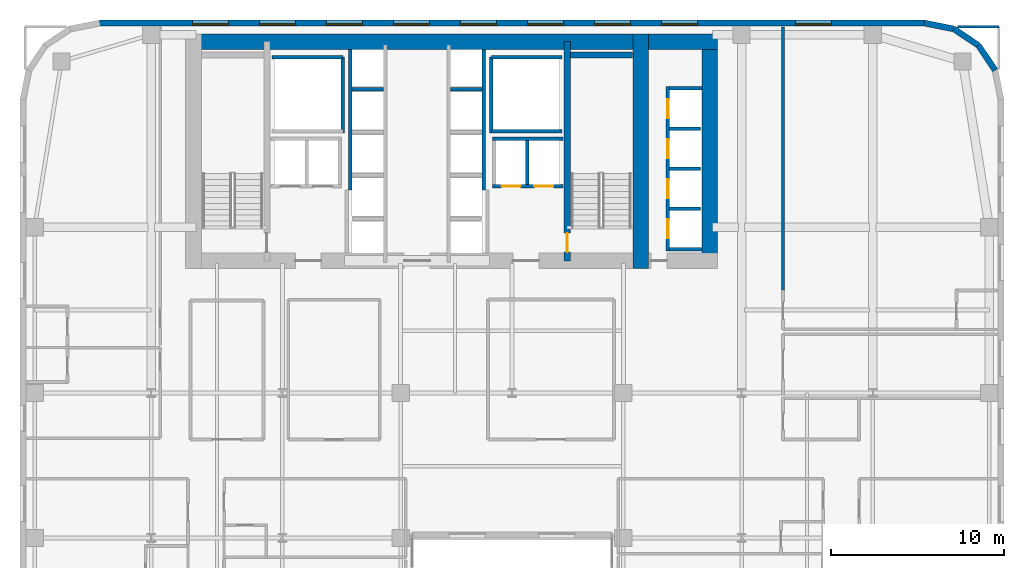
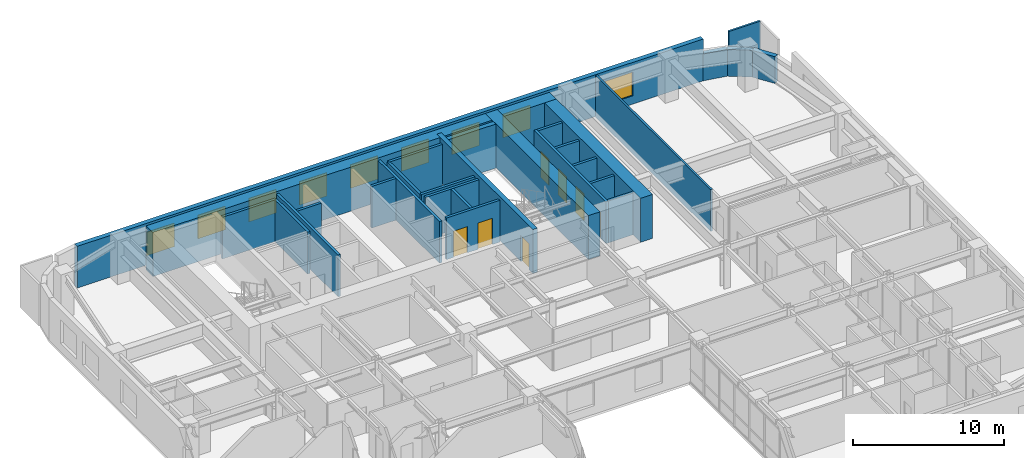
# One storey, part 15 of 17: 30 walls, 9 windows, 7 doors, 16 openings.
"""IFC4 building model written with IfcOpenShell, lengths in metres."""

from ifc_helpers import new_model, si_unit, direction, frame, frame_2d, origin, place, context, subcontext, project, spatial, rectangle, extrude, source, transform, mapped, material, layer, layer_set, type_object, type_shapes, element, fill, save


model = new_model("IFC4")

# Units and contexts
model_context = context("Model", 3, precision=1e-05, world=origin(), true_north=direction((0.0, 1.0)))
body_context = subcontext(model_context, "Body", "Model", "MODEL_VIEW")
ifc_project = project(units=[si_unit("LENGTHUNIT", "METRE"), si_unit("AREAUNIT", "SQUARE_METRE"), si_unit("VOLUMEUNIT", "CUBIC_METRE"), si_unit("PLANEANGLEUNIT", "RADIAN"), si_unit("MASSUNIT", "GRAM", prefix="KILO")], contexts=[model_context])

# Site, building, storey
site_placement = place(None, origin())
site = spatial("IfcSite", under=ifc_project, at=site_placement, CompositionType="ELEMENT")
building_placement = place(site_placement, origin())
building = spatial("IfcBuilding", under=site, at=building_placement, Name="Tolvann Quenvar Hotel", CompositionType="ELEMENT")
storey_placement = place(building_placement, frame((0.0, 0.0, 42.64990234375)))
storey = spatial("IfcBuildingStorey", under=building, at=storey_placement, Name="L09", CompositionType="ELEMENT", Elevation=42.64990234375)

# Walls
ifc_material_1 = material(Name="Concrete S80 (80 MPa)", Category="concrete")
ifc_layer_1 = layer(ifc_material_1, 0.89990234375)
ifc_layer_set_1 = layer_set([ifc_layer_1], Name="Concrete S80 (80 MPa)")
wall_type_1 = type_object("IfcWallType", Name="WALL_CORE_900", PredefinedType="SHEAR", material=ifc_layer_set_1)
wall_1_placement = place(storey_placement, frame((9.60009765625, 44.75, 0.0), z_axis=(0.0, 0.0, 1.0), x_axis=(1.0, 0.0, 0.0)))
element("IfcWall", 1, at=wall_1_placement, inside=storey, type_object=wall_type_1, Name="Rear Core N Shear Wall (L09)", PredefinedType="SHEAR", context=body_context, shape_type="SweptSolid", body=[
    extrude(rectangle(XDim=26.7998046875, YDim=0.89990234375, at=frame_2d((13.39990234375, 0.0))), origin(), (0.0, 0.0, 1.0), 3.550048828125),
])
wall_2_placement = place(storey_placement, frame((35.949951171875, 31.60009765625, 0.0), z_axis=(0.0, 0.0, 1.0), x_axis=(0.0, 1.0, 0.0)))
element("IfcWall", 2, at=wall_2_placement, inside=storey, type_object=wall_type_1, Name="Rear Core E Shear Wall (L09)", PredefinedType="SHEAR", context=body_context, shape_type="SweptSolid", body=[
    extrude(rectangle(XDim=13.599853515625, YDim=0.89990234375, at=frame_2d((6.7998046875, 0.0))), origin(), (0.0, 0.0, 1.0), 3.550048828125),
])
wall_3_placement = place(storey_placement, frame((36.39990234375, 44.75, 0.0), z_axis=(0.0, 0.0, 1.0), x_axis=(1.0, 0.0, 0.0)))
element("IfcWall", 3, at=wall_3_placement, inside=storey, type_object=wall_type_1, Name="Core East Annex Shear Wall ANN-N (L09)", PredefinedType="SHEAR", context=body_context, shape_type="SweptSolid", body=[
    extrude(rectangle(XDim=4.0, YDim=0.89990234375, at=frame_2d((2.0, 0.0))), origin(), (0.0, 0.0, 1.0), 3.550048828125),
])
wall_4_placement = place(storey_placement, frame((39.949951171875, 31.60009765625, 0.0), z_axis=(0.0, 0.0, 1.0), x_axis=(0.0, 1.0, 0.0)))
element("IfcWall", 4, at=wall_4_placement, inside=storey, type_object=wall_type_1, Name="Core East Annex Shear Wall ANN-E (L09)", PredefinedType="SHEAR", context=body_context, shape_type="SweptSolid", body=[
    extrude(rectangle(XDim=13.599853515625, YDim=0.89990234375, at=frame_2d((6.7998046875, 0.0))), origin(), (0.0, 0.0, 1.0), 3.550048828125),
])

# Wall, opening, door
ifc_material_2 = material(Name="Concrete S65 (65 MPa)", Category="concrete")
ifc_layer_2 = layer(ifc_material_2, 0.35009765625)
ifc_layer_set_2 = layer_set([ifc_layer_2], Name="Concrete S65 (65 MPa)")
wall_type_2 = type_object("IfcWallType", Name="WALL_CORE_INT_350", PredefinedType="SHEAR", material=ifc_layer_set_2)
wall_5_placement = place(storey_placement, frame((31.699951171875, 32.050048828125, 0.0), z_axis=(0.0, 0.0, 1.0), x_axis=(0.0, 1.0, 0.0)))
wall_5 = element("IfcWall", 5, at=wall_5_placement, inside=storey, type_object=wall_type_2, Name="Core Internal Web Shear Wall WEB-E (L09)", PredefinedType="SHEAR", context=body_context, shape_type="SweptSolid", body=[
    extrude(rectangle(XDim=12.699951171875, YDim=0.35009765625, at=frame_2d((6.35009765625, 0.0))), origin(), (0.0, 0.0, 1.0), 3.550048828125),
])
opening_1_placement = place(wall_5_placement, frame((1.60009765625, 0.0, 0.0), z_axis=(0.0, 0.0, 1.0), x_axis=(-1.0, 0.0, 0.0)))
opening_1 = element("IfcOpeningElement", 6, at=opening_1_placement, cuts=wall_5, Name="Opening FD-120", PredefinedType="OPENING", context=body_context, shape_type="SweptSolid", body=[
    extrude(rectangle(XDim=1.10009765625, YDim=2.1201171875, at=frame_2d((0.550048828125, 1.06005859375))), frame((0.0, 0.18505859375, 0.0), z_axis=(0.0, -1.0, 0.0), x_axis=(1.0, 0.0, 0.0)), (0.0, 0.0, 1.0), 0.3701171875),
])
ifc_material_3 = material(Name="Pressed galvanised steel fire-rated door set", Category="steel")
door_type_1 = type_object("IfcDoorType", Name="DOOR_FIRE_STAIR_1100", OperationType="NOTDEFINED", PredefinedType="DOOR", material=ifc_material_3)
shared_shape_1 = source(origin(), body_context, "Body", "SweptSolid", [
    extrude(rectangle(XDim=1.10009765625, YDim=2.1201171875, at=frame_2d((0.550048828125, 1.06005859375))), frame((0.0, 0.02490234375, 0.0), z_axis=(0.0, -1.0, 0.0), x_axis=(1.0, 0.0, 0.0)), (0.0, 0.0, 1.0), 0.050048828125),
])
type_shapes(door_type_1, [shared_shape_1])
door_1_placement = place(opening_1_placement, origin())
door_1 = element("IfcDoor", 7, at=door_1_placement, inside=storey, type_object=door_type_1, Name="Exit Stair ST-C2 Fire Door (L09)", OperationType="SINGLE_SWING_LEFT", OverallHeight=2.1201171875, OverallWidth=1.10009765625, PredefinedType="DOOR", context=body_context, shape_type="MappedRepresentation", body=[
    mapped(shared_shape_1, transform((0.0, 0.0, 0.0), x_axis=(1.0, 0.0, 0.0), y_axis=(0.0, 1.0, 0.0), z_axis=(0.0, 0.0, 1.0), scale=1.0)),
])
fill(opening_1, door_1)

# Walls
wall_6_placement = place(storey_placement, frame((31.8798828125, 43.97509765625, 0.0), z_axis=(0.0, 0.0, 1.0), x_axis=(1.0, 0.0, 0.0)))
element("IfcWall", 8, at=wall_6_placement, inside=storey, type_object=wall_type_2, Name="Core Stair North Closing Shear Wall STC2-N (L09)", PredefinedType="SHEAR", context=body_context, shape_type="SweptSolid", body=[
    extrude(rectangle(XDim=3.60009765625, YDim=0.35009765625, at=frame_2d((1.800048828125, 0.0))), origin(), (0.0, 0.0, 1.0), 3.550048828125),
])
ifc_material_4 = material(Name="Kiln-fired red and buff architectural clay brickwork and terracotta masonry", Category="masonry")
ifc_layer_3 = layer(ifc_material_4, 0.35009765625)
ifc_layer_set_3 = layer_set([ifc_layer_3], Name="Kiln-fired red and buff architectural clay brickwork and terracotta masonry")
wall_type_3 = type_object("IfcWallType", Name="WALL_EXT_BRICK_350", PredefinedType="SOLIDWALL", material=ifc_layer_set_3)
for number, where, z_axis, x_axis, name in (
    (9, (56.485107421875, 43.092041015625, 0.0), (0.0, 0.0, 1.0), (-0.55554893791, 0.831483840845, 0.0), "Exterior Chicago Brick Wall L09-E15"),
    (10, (55.526611328125, 44.526611328125, 0.0), (0.0, 0.0, 1.0), (-0.831483840845, 0.55554893791, 0.0), "Exterior Chicago Brick Wall L09-E16"),
):
    element("IfcWall", number, at=place(storey_placement, frame(where, z_axis=z_axis, x_axis=x_axis)), inside=storey, type_object=wall_type_3, Name=name, PredefinedType="SOLIDWALL", context=body_context, shape_type="SweptSolid", body=[
        extrude(rectangle(XDim=1.725341796875, YDim=0.35009765625, at=frame_2d((0.86279296875, 0.0))), origin(), (0.0, 0.0, 1.0), 2.16015625),
    ])
wall_7_placement = place(storey_placement, frame((54.092041015625, 45.485107421875, 0.0), z_axis=(0.0, 0.0, 1.0), x_axis=(-0.980800971659, 0.195011420161, 0.0)))
element("IfcWall", 11, at=wall_7_placement, inside=storey, type_object=wall_type_3, Name="Exterior Chicago Brick Wall L09-E17", PredefinedType="SOLIDWALL", context=body_context, shape_type="SweptSolid", body=[
    extrude(rectangle(XDim=1.74267578125, YDim=0.35009765625, at=frame_2d((0.871337890625, 0.0))), origin(), (0.0, 0.0, 1.0), 2.16015625),
])

# Wall, openings, windows
wall_8_placement = place(storey_placement, frame((52.3828125, 45.824951171875, 0.0), z_axis=(0.0, 0.0, 1.0), x_axis=(-1.0, 0.0, 0.0)))
wall_8 = element("IfcWall", 12, at=wall_8_placement, inside=storey, type_object=wall_type_3, Name="Exterior Chicago Brick Wall L09-E18", PredefinedType="SOLIDWALL", context=body_context, shape_type="SweptSolid", body=[
    extrude(rectangle(XDim=47.765625, YDim=0.35009765625, at=frame_2d((23.8828125, 0.0))), origin(), (0.0, 0.0, 1.0), 3.3701171875),
])
opening_2_placement = place(wall_8_placement, frame((5.37109375, 0.0, 0.679931640625)))
opening_2 = element("IfcOpeningElement", 13, at=opening_2_placement, cuts=wall_8, Name="Opening W-02", PredefinedType="OPENING", context=body_context, shape_type="SweptSolid", body=[
    extrude(rectangle(XDim=2.10009765625, YDim=1.89990234375, at=frame_2d((1.050048828125, 0.949951171875))), frame((0.0, 0.18505859375, 0.0), z_axis=(0.0, -1.0, 0.0), x_axis=(1.0, 0.0, 0.0)), (0.0, 0.0, 1.0), 0.3701171875),
])
opening_3_placement = place(wall_8_placement, frame((13.132080078125, 0.0, 0.679931640625)))
opening_3 = element("IfcOpeningElement", 14, at=opening_3_placement, cuts=wall_8, Name="Opening W-02", PredefinedType="OPENING", context=body_context, shape_type="SweptSolid", body=[
    extrude(rectangle(XDim=2.10009765625, YDim=1.89990234375, at=frame_2d((1.050048828125, 0.949951171875))), frame((0.0, 0.18505859375, 0.0), z_axis=(0.0, -1.0, 0.0), x_axis=(1.0, 0.0, 0.0)), (0.0, 0.0, 1.0), 0.3701171875),
])
opening_4_placement = place(wall_8_placement, frame((17.011962890625, 0.0, 0.679931640625)))
opening_4 = element("IfcOpeningElement", 15, at=opening_4_placement, cuts=wall_8, Name="Opening W-02", PredefinedType="OPENING", context=body_context, shape_type="SweptSolid", body=[
    extrude(rectangle(XDim=2.10009765625, YDim=1.89990234375, at=frame_2d((1.050048828125, 0.949951171875))), frame((0.0, 0.18505859375, 0.0), z_axis=(0.0, -1.0, 0.0), x_axis=(1.0, 0.0, 0.0)), (0.0, 0.0, 1.0), 0.3701171875),
])
opening_5_placement = place(wall_8_placement, frame((20.89306640625, 0.0, 0.679931640625)))
opening_5 = element("IfcOpeningElement", 16, at=opening_5_placement, cuts=wall_8, Name="Opening W-02", PredefinedType="OPENING", context=body_context, shape_type="SweptSolid", body=[
    extrude(rectangle(XDim=2.10009765625, YDim=1.89990234375, at=frame_2d((1.050048828125, 0.949951171875))), frame((0.0, 0.18505859375, 0.0), z_axis=(0.0, -1.0, 0.0), x_axis=(1.0, 0.0, 0.0)), (0.0, 0.0, 1.0), 0.3701171875),
])
opening_6_placement = place(wall_8_placement, frame((24.77294921875, 0.0, 0.679931640625)))
opening_6 = element("IfcOpeningElement", 17, at=opening_6_placement, cuts=wall_8, Name="Opening W-02", PredefinedType="OPENING", context=body_context, shape_type="SweptSolid", body=[
    extrude(rectangle(XDim=2.10009765625, YDim=1.89990234375, at=frame_2d((1.050048828125, 0.949951171875))), frame((0.0, 0.18505859375, 0.0), z_axis=(0.0, -1.0, 0.0), x_axis=(1.0, 0.0, 0.0)), (0.0, 0.0, 1.0), 0.3701171875),
])
opening_7_placement = place(wall_8_placement, frame((28.654052734375, 0.0, 0.679931640625)))
opening_7 = element("IfcOpeningElement", 18, at=opening_7_placement, cuts=wall_8, Name="Opening W-02", PredefinedType="OPENING", context=body_context, shape_type="SweptSolid", body=[
    extrude(rectangle(XDim=2.10009765625, YDim=1.89990234375, at=frame_2d((1.050048828125, 0.949951171875))), frame((0.0, 0.18505859375, 0.0), z_axis=(0.0, -1.0, 0.0), x_axis=(1.0, 0.0, 0.0)), (0.0, 0.0, 1.0), 0.3701171875),
])
opening_8_placement = place(wall_8_placement, frame((32.533935546875, 0.0, 0.679931640625)))
opening_8 = element("IfcOpeningElement", 19, at=opening_8_placement, cuts=wall_8, Name="Opening W-02", PredefinedType="OPENING", context=body_context, shape_type="SweptSolid", body=[
    extrude(rectangle(XDim=2.10009765625, YDim=1.89990234375, at=frame_2d((1.050048828125, 0.949951171875))), frame((0.0, 0.18505859375, 0.0), z_axis=(0.0, -1.0, 0.0), x_axis=(1.0, 0.0, 0.0)), (0.0, 0.0, 1.0), 0.3701171875),
])
opening_9_placement = place(wall_8_placement, frame((36.4140625, 0.0, 0.679931640625)))
opening_9 = element("IfcOpeningElement", 20, at=opening_9_placement, cuts=wall_8, Name="Opening W-02", PredefinedType="OPENING", context=body_context, shape_type="SweptSolid", body=[
    extrude(rectangle(XDim=2.10009765625, YDim=1.89990234375, at=frame_2d((1.050048828125, 0.949951171875))), frame((0.0, 0.18505859375, 0.0), z_axis=(0.0, -1.0, 0.0), x_axis=(1.0, 0.0, 0.0)), (0.0, 0.0, 1.0), 0.3701171875),
])
opening_10_placement = place(wall_8_placement, frame((40.294921875, 0.0, 0.679931640625)))
opening_10 = element("IfcOpeningElement", 21, at=opening_10_placement, cuts=wall_8, Name="Opening W-02", PredefinedType="OPENING", context=body_context, shape_type="SweptSolid", body=[
    extrude(rectangle(XDim=2.10009765625, YDim=1.89990234375, at=frame_2d((1.050048828125, 0.949951171875))), frame((0.0, 0.18505859375, 0.0), z_axis=(0.0, -1.0, 0.0), x_axis=(1.0, 0.0, 0.0)), (0.0, 0.0, 1.0), 0.3701171875),
])
ifc_material_5 = material(Name="Thermally broken bronze-anodised aluminium frame with double low-E glazing", Category="aluminium")
window_type = type_object("IfcWindowType", Name="WIN_CHI_2100x2050", PartitioningType="TRIPLE_PANEL_HORIZONTAL", PredefinedType="WINDOW", material=ifc_material_5)
shared_shape_2 = source(origin(), body_context, "Body", "SweptSolid", [
    extrude(rectangle(XDim=2.10009765625, YDim=1.89990234375, at=frame_2d((1.050048828125, 0.949951171875))), frame((0.0, 0.090087890625, 0.0), z_axis=(0.0, -1.0, 0.0), x_axis=(1.0, 0.0, 0.0)), (0.0, 0.0, 1.0), 0.06005859375),
])
type_shapes(window_type, [shared_shape_2])
window_1_placement = place(opening_2_placement, origin())
window_1 = element("IfcWindow", 22, at=window_1_placement, inside=storey, type_object=window_type, Name="Chicago Window W-02 (EW-L09-E18-W01)", OverallHeight=1.89990234375, OverallWidth=2.10009765625, PartitioningType="TRIPLE_PANEL_HORIZONTAL", PredefinedType="WINDOW", context=body_context, shape_type="MappedRepresentation", body=[
    mapped(shared_shape_2, transform((0.0, 0.0, 0.0), x_axis=(1.0, 0.0, 0.0), y_axis=(0.0, 1.0, 0.0), z_axis=(0.0, 0.0, 1.0), scale=1.0)),
])
fill(opening_2, window_1)
window_2_placement = place(opening_3_placement, origin())
window_2 = element("IfcWindow", 23, at=window_2_placement, inside=storey, type_object=window_type, Name="Chicago Window W-02 (EW-L09-E18-W02)", OverallHeight=1.89990234375, OverallWidth=2.10009765625, PartitioningType="TRIPLE_PANEL_HORIZONTAL", PredefinedType="WINDOW", context=body_context, shape_type="MappedRepresentation", body=[
    mapped(shared_shape_2, transform((0.0, 0.0, 0.0), x_axis=(1.0, 0.0, 0.0), y_axis=(0.0, 1.0, 0.0), z_axis=(0.0, 0.0, 1.0), scale=1.0)),
])
fill(opening_3, window_2)
window_3_placement = place(opening_4_placement, origin())
window_3 = element("IfcWindow", 24, at=window_3_placement, inside=storey, type_object=window_type, Name="Chicago Window W-02 (EW-L09-E18-W03)", OverallHeight=1.89990234375, OverallWidth=2.10009765625, PartitioningType="TRIPLE_PANEL_HORIZONTAL", PredefinedType="WINDOW", context=body_context, shape_type="MappedRepresentation", body=[
    mapped(shared_shape_2, transform((0.0, 0.0, 0.0), x_axis=(1.0, 0.0, 0.0), y_axis=(0.0, 1.0, 0.0), z_axis=(0.0, 0.0, 1.0), scale=1.0)),
])
fill(opening_4, window_3)
window_4_placement = place(opening_5_placement, origin())
window_4 = element("IfcWindow", 25, at=window_4_placement, inside=storey, type_object=window_type, Name="Chicago Window W-02 (EW-L09-E18-W04)", OverallHeight=1.89990234375, OverallWidth=2.10009765625, PartitioningType="TRIPLE_PANEL_HORIZONTAL", PredefinedType="WINDOW", context=body_context, shape_type="MappedRepresentation", body=[
    mapped(shared_shape_2, transform((0.0, 0.0, 0.0), x_axis=(1.0, 0.0, 0.0), y_axis=(0.0, 1.0, 0.0), z_axis=(0.0, 0.0, 1.0), scale=1.0)),
])
fill(opening_5, window_4)
window_5_placement = place(opening_6_placement, origin())
window_5 = element("IfcWindow", 26, at=window_5_placement, inside=storey, type_object=window_type, Name="Chicago Window W-02 (EW-L09-E18-W05)", OverallHeight=1.89990234375, OverallWidth=2.10009765625, PartitioningType="TRIPLE_PANEL_HORIZONTAL", PredefinedType="WINDOW", context=body_context, shape_type="MappedRepresentation", body=[
    mapped(shared_shape_2, transform((0.0, 0.0, 0.0), x_axis=(1.0, 0.0, 0.0), y_axis=(0.0, 1.0, 0.0), z_axis=(0.0, 0.0, 1.0), scale=1.0)),
])
fill(opening_6, window_5)
window_6_placement = place(opening_7_placement, origin())
window_6 = element("IfcWindow", 27, at=window_6_placement, inside=storey, type_object=window_type, Name="Chicago Window W-02 (EW-L09-E18-W06)", OverallHeight=1.89990234375, OverallWidth=2.10009765625, PartitioningType="TRIPLE_PANEL_HORIZONTAL", PredefinedType="WINDOW", context=body_context, shape_type="MappedRepresentation", body=[
    mapped(shared_shape_2, transform((0.0, 0.0, 0.0), x_axis=(1.0, 0.0, 0.0), y_axis=(0.0, 1.0, 0.0), z_axis=(0.0, 0.0, 1.0), scale=1.0)),
])
fill(opening_7, window_6)
window_7_placement = place(opening_8_placement, origin())
window_7 = element("IfcWindow", 28, at=window_7_placement, inside=storey, type_object=window_type, Name="Chicago Window W-02 (EW-L09-E18-W07)", OverallHeight=1.89990234375, OverallWidth=2.10009765625, PartitioningType="TRIPLE_PANEL_HORIZONTAL", PredefinedType="WINDOW", context=body_context, shape_type="MappedRepresentation", body=[
    mapped(shared_shape_2, transform((0.0, 0.0, 0.0), x_axis=(1.0, 0.0, 0.0), y_axis=(0.0, 1.0, 0.0), z_axis=(0.0, 0.0, 1.0), scale=1.0)),
])
fill(opening_8, window_7)
window_8_placement = place(opening_9_placement, origin())
window_8 = element("IfcWindow", 29, at=window_8_placement, inside=storey, type_object=window_type, Name="Chicago Window W-02 (EW-L09-E18-W08)", OverallHeight=1.89990234375, OverallWidth=2.10009765625, PartitioningType="TRIPLE_PANEL_HORIZONTAL", PredefinedType="WINDOW", context=body_context, shape_type="MappedRepresentation", body=[
    mapped(shared_shape_2, transform((0.0, 0.0, 0.0), x_axis=(1.0, 0.0, 0.0), y_axis=(0.0, 1.0, 0.0), z_axis=(0.0, 0.0, 1.0), scale=1.0)),
])
fill(opening_9, window_8)
window_9_placement = place(opening_10_placement, origin())
window_9 = element("IfcWindow", 30, at=window_9_placement, inside=storey, type_object=window_type, Name="Chicago Window W-02 (EW-L09-E18-W09)", OverallHeight=1.89990234375, OverallWidth=2.10009765625, PartitioningType="TRIPLE_PANEL_HORIZONTAL", PredefinedType="WINDOW", context=body_context, shape_type="MappedRepresentation", body=[
    mapped(shared_shape_2, transform((0.0, 0.0, 0.0), x_axis=(1.0, 0.0, 0.0), y_axis=(0.0, 1.0, 0.0), z_axis=(0.0, 0.0, 1.0), scale=1.0)),
])
fill(opening_10, window_9)

# Walls
ifc_material_6 = material(Name="Acoustic twin-stud fire-rated gypsum plasterboard partition")
ifc_layer_4 = layer(ifc_material_6, 0.14990234375)
ifc_layer_set_4 = layer_set([ifc_layer_4], Name="Acoustic twin-stud fire-rated gypsum plasterboard partition")
wall_type_4 = type_object("IfcWallType", Name="WALL_PART_SUITE_150", PredefinedType="PARTITIONING", material=ifc_layer_set_4)
wall_9_placement = place(storey_placement, frame((54.303955078125, 45.6201171875, 0.0), z_axis=(0.0, 0.0, 1.0), x_axis=(1.0, 0.0, 0.0)))
element("IfcWall", 31, at=wall_9_placement, inside=storey, type_object=wall_type_4, Name="Interior Partition PT-SPC-L09-RM-NE01-E5", PredefinedType="PARTITIONING", context=body_context, shape_type="SweptSolid", body=[
    extrude(rectangle(XDim=2.39599609375, YDim=0.14990234375, at=frame_2d((1.197998046875, 0.0))), origin(), (0.0, 0.0, 1.0), 3.3701171875),
])
wall_10_placement = place(storey_placement, frame((44.199951171875, 30.3701171875, 0.0), z_axis=(0.0, 0.0, 1.0), x_axis=(0.0, 1.0, 0.0)))
element("IfcWall", 32, at=wall_10_placement, inside=storey, type_object=wall_type_4, Name="Interior Partition PT-SPC-L09-RM-NE01-E6", PredefinedType="PARTITIONING", context=body_context, shape_type="SweptSolid", body=[
    extrude(rectangle(XDim=15.224853515625, YDim=0.14990234375, at=frame_2d((7.6123046875, 0.0))), origin(), (0.0, 0.0, 1.0), 3.3701171875),
])
ifc_material_7 = material(Name="Concrete N40 (40 MPa)", Category="concrete")
ifc_layer_5 = layer(ifc_material_7, 0.199951171875)
ifc_layer_set_5 = layer_set([ifc_layer_5], Name="Concrete N40 (40 MPa)")
wall_type_5 = type_object("IfcWallType", Name="WALL_SHAFT_200", PredefinedType="SOLIDWALL", material=ifc_layer_set_5)
wall_11_placement = place(storey_placement, frame((18.699951171875, 39.449951171875, 0.0), z_axis=(0.0, 0.0, 1.0), x_axis=(0.0, 1.0, 0.0)))
element("IfcWall", 33, at=wall_11_placement, inside=storey, type_object=wall_type_5, Name="Service Riser W Shaft Wall IN (L09)", PredefinedType="SOLIDWALL", context=body_context, shape_type="SweptSolid", body=[
    extrude(rectangle(XDim=4.400146484375, YDim=0.199951171875, at=frame_2d((2.2001953125, 0.0))), origin(), (0.0, 0.0, 1.0), 3.3701171875),
])
wall_12_placement = place(storey_placement, frame((14.60009765625, 43.85009765625, 0.0), z_axis=(0.0, 0.0, 1.0), x_axis=(1.0, 0.0, 0.0)))
element("IfcWall", 34, at=wall_12_placement, inside=storey, type_object=wall_type_5, Name="Service Riser W Shaft Wall N (L09)", PredefinedType="SOLIDWALL", context=body_context, shape_type="SweptSolid", body=[
    extrude(rectangle(XDim=4.099853515625, YDim=0.199951171875, at=frame_2d((2.0498046875, 0.0))), origin(), (0.0, 0.0, 1.0), 3.3701171875),
])
wall_13_placement = place(storey_placement, frame((27.300048828125, 39.449951171875, 0.0), z_axis=(0.0, 0.0, 1.0), x_axis=(0.0, 1.0, 0.0)))
element("IfcWall", 35, at=wall_13_placement, inside=storey, type_object=wall_type_5, Name="Service Riser E Shaft Wall IN (L09)", PredefinedType="SOLIDWALL", context=body_context, shape_type="SweptSolid", body=[
    extrude(rectangle(XDim=4.400146484375, YDim=0.199951171875, at=frame_2d((2.2001953125, 0.0))), origin(), (0.0, 0.0, 1.0), 3.3701171875),
])
for number, where, z_axis, x_axis, name in (
    (36, (27.300048828125, 39.550048828125, 0.0), (0.0, 0.0, 1.0), (1.0, 0.0, 0.0), "Service Riser E Shaft Wall S (L09)"),
    (37, (27.300048828125, 43.85009765625, 0.0), (0.0, 0.0, 1.0), (1.0, 0.0, 0.0), "Service Riser E Shaft Wall N (L09)"),
):
    element("IfcWall", number, at=place(storey_placement, frame(where, z_axis=z_axis, x_axis=x_axis)), inside=storey, type_object=wall_type_5, Name=name, PredefinedType="SOLIDWALL", context=body_context, shape_type="SweptSolid", body=[
        extrude(rectangle(XDim=4.099853515625, YDim=0.199951171875, at=frame_2d((2.0498046875, 0.0))), origin(), (0.0, 0.0, 1.0), 3.3701171875),
    ])
wall_14_placement = place(storey_placement, frame((19.1298828125, 36.159912109375, 0.0), z_axis=(0.0, 0.0, 1.0), x_axis=(0.0, 1.0, 0.0)))
element("IfcWall", 38, at=wall_14_placement, inside=storey, type_object=wall_type_5, Name="Lift Bank E21.1C1 Hoistway Rear Wall (L09)", PredefinedType="SOLIDWALL", context=body_context, shape_type="SweptSolid", body=[
    extrude(rectangle(XDim=8.135986328125, YDim=0.199951171875, at=frame_2d((4.06787109375, 0.0))), origin(), (0.0, 0.0, 1.0), 3.3701171875),
])
wall_15_placement = place(storey_placement, frame((19.22998046875, 42.0, 0.0), z_axis=(0.0, 0.0, 1.0), x_axis=(1.0, 0.0, 0.0)))
element("IfcWall", 39, at=wall_15_placement, inside=storey, type_object=wall_type_5, Name="Lift Bank E21.1C1 Divider Wall 4 (L09)", PredefinedType="SOLIDWALL", context=body_context, shape_type="SweptSolid", body=[
    extrude(rectangle(XDim=1.840087890625, YDim=0.199951171875, at=frame_2d((0.919921875, 0.0))), origin(), (0.0, 0.0, 1.0), 3.3701171875),
])

# Wall, openings, doors
wall_16_placement = place(storey_placement, frame((27.375, 36.3798828125, 0.0), z_axis=(0.0, 0.0, 1.0), x_axis=(1.0, 0.0, 0.0)))
wall_16 = element("IfcWall", 40, at=wall_16_placement, inside=storey, type_object=wall_type_5, Name="Lift Bank SEC1 Hoistway Front Wall (L09)", PredefinedType="SOLIDWALL", context=body_context, shape_type="SweptSolid", body=[
    extrude(rectangle(XDim=4.074951171875, YDim=0.199951171875, at=frame_2d((2.03759765625, 0.0))), origin(), (0.0, 0.0, 1.0), 3.3701171875),
])
opening_11_placement = place(wall_16_placement, frame((0.52490234375, 0.0, 0.0)))
opening_11 = element("IfcOpeningElement", 41, at=opening_11_placement, cuts=wall_16, Name="Opening LD-01", PredefinedType="OPENING", context=body_context, shape_type="SweptSolid", body=[
    extrude(rectangle(XDim=1.10009765625, YDim=2.1201171875, at=frame_2d((0.550048828125, 1.06005859375))), frame((0.0, 0.10986328125, 0.0), z_axis=(0.0, -1.0, 0.0), x_axis=(1.0, 0.0, 0.0)), (0.0, 0.0, 1.0), 0.219970703125),
])
opening_12_placement = place(wall_16_placement, frame((2.425048828125, 0.0, 0.0)))
opening_12 = element("IfcOpeningElement", 42, at=opening_12_placement, cuts=wall_16, Name="Opening LD-01", PredefinedType="OPENING", context=body_context, shape_type="SweptSolid", body=[
    extrude(rectangle(XDim=1.10009765625, YDim=2.1201171875, at=frame_2d((0.550048828125, 1.06005859375))), frame((0.0, 0.10986328125, 0.0), z_axis=(0.0, -1.0, 0.0), x_axis=(1.0, 0.0, 0.0)), (0.0, 0.0, 1.0), 0.219970703125),
])
ifc_material_8 = material(Name="Brushed 316 stainless steel automatic sliding lift landing door", Category="steel")
door_type_2 = type_object("IfcDoorType", Name="DOOR_LIFT_SLIDE_1100", OperationType="NOTDEFINED", PredefinedType="DOOR", material=ifc_material_8)
shared_shape_3 = source(origin(), body_context, "Body", "SweptSolid", [
    extrude(rectangle(XDim=1.10009765625, YDim=2.1201171875, at=frame_2d((0.550048828125, 1.06005859375))), frame((0.0, 0.02490234375, 0.0), z_axis=(0.0, -1.0, 0.0), x_axis=(1.0, 0.0, 0.0)), (0.0, 0.0, 1.0), 0.050048828125),
])
type_shapes(door_type_2, [shared_shape_3])
door_2_placement = place(opening_11_placement, origin())
door_2 = element("IfcDoor", 43, at=door_2_placement, inside=storey, type_object=door_type_2, Name="Lift SV-2 Sliding Landing Door (L09)", OperationType="SLIDING_TO_LEFT", OverallHeight=2.1201171875, OverallWidth=1.10009765625, PredefinedType="DOOR", context=body_context, shape_type="MappedRepresentation", body=[
    mapped(shared_shape_3, transform((0.0, 0.0, 0.0), x_axis=(1.0, 0.0, 0.0), y_axis=(0.0, 1.0, 0.0), z_axis=(0.0, 0.0, 1.0), scale=1.0)),
])
fill(opening_11, door_2)
door_3_placement = place(opening_12_placement, origin())
door_3 = element("IfcDoor", 44, at=door_3_placement, inside=storey, type_object=door_type_2, Name="Lift FF-2 Sliding Landing Door (L09)", OperationType="SLIDING_TO_RIGHT", OverallHeight=2.1201171875, OverallWidth=1.10009765625, PredefinedType="DOOR", context=body_context, shape_type="MappedRepresentation", body=[
    mapped(shared_shape_3, transform((0.0, 0.0, 0.0), x_axis=(1.0, 0.0, 0.0), y_axis=(0.0, 1.0, 0.0), z_axis=(0.0, 0.0, 1.0), scale=1.0)),
])
fill(opening_12, door_3)

# Walls
wall_17_placement = place(storey_placement, frame((27.375, 39.1201171875, 0.0), z_axis=(0.0, 0.0, 1.0), x_axis=(1.0, 0.0, 0.0)))
element("IfcWall", 45, at=wall_17_placement, inside=storey, type_object=wall_type_5, Name="Lift Bank SEC1 Hoistway Rear Wall (L09)", PredefinedType="SOLIDWALL", context=body_context, shape_type="SweptSolid", body=[
    extrude(rectangle(XDim=4.074951171875, YDim=0.199951171875, at=frame_2d((2.03759765625, 0.0))), origin(), (0.0, 0.0, 1.0), 3.3701171875),
])
wall_18_placement = place(storey_placement, frame((29.387451171875, 36.47998046875, 0.0), z_axis=(0.0, 0.0, 1.0), x_axis=(0.0, 1.0, 0.0)))
element("IfcWall", 46, at=wall_18_placement, inside=storey, type_object=wall_type_5, Name="Lift Bank SEC1 Divider Wall 1 (L09)", PredefinedType="SOLIDWALL", context=body_context, shape_type="SweptSolid", body=[
    extrude(rectangle(XDim=2.5400390625, YDim=0.199951171875, at=frame_2d((1.27001953125, 0.0))), origin(), (0.0, 0.0, 1.0), 3.3701171875),
])
wall_19_placement = place(storey_placement, frame((26.8701171875, 36.159912109375, 0.0), z_axis=(0.0, 0.0, 1.0), x_axis=(0.0, 1.0, 0.0)))
element("IfcWall", 47, at=wall_19_placement, inside=storey, type_object=wall_type_5, Name="Lift Bank W24.9C1 Hoistway Rear Wall (L09)", PredefinedType="SOLIDWALL", context=body_context, shape_type="SweptSolid", body=[
    extrude(rectangle(XDim=8.135986328125, YDim=0.199951171875, at=frame_2d((4.06787109375, 0.0))), origin(), (0.0, 0.0, 1.0), 3.3701171875),
])
wall_20_placement = place(storey_placement, frame((24.929931640625, 42.0, 0.0), z_axis=(0.0, 0.0, 1.0), x_axis=(1.0, 0.0, 0.0)))
element("IfcWall", 48, at=wall_20_placement, inside=storey, type_object=wall_type_5, Name="Lift Bank W24.9C1 Divider Wall 4 (L09)", PredefinedType="SOLIDWALL", context=body_context, shape_type="SweptSolid", body=[
    extrude(rectangle(XDim=1.840087890625, YDim=0.199951171875, at=frame_2d((0.919921875, 0.0))), origin(), (0.0, 0.0, 1.0), 3.3701171875),
])

# Wall, openings, doors
wall_21_placement = place(storey_placement, frame((37.530029296875, 32.610107421875, 0.0), z_axis=(0.0, 0.0, 1.0), x_axis=(0.0, 1.0, 0.0)))
wall_21 = element("IfcWall", 49, at=wall_21_placement, inside=storey, type_object=wall_type_5, Name="Lift Bank W37.6C1 Hoistway Front Wall (L09)", PredefinedType="SOLIDWALL", context=body_context, shape_type="SweptSolid", body=[
    extrude(rectangle(XDim=9.539794921875, YDim=0.199951171875, at=frame_2d((4.77001953125, 0.0))), origin(), (0.0, 0.0, 1.0), 3.3701171875),
])
opening_13_placement = place(wall_21_placement, frame((0.739990234375, 0.0, 0.0)))
opening_13 = element("IfcOpeningElement", 50, at=opening_13_placement, cuts=wall_21, Name="Opening LD-01", PredefinedType="OPENING", context=body_context, shape_type="SweptSolid", body=[
    extrude(rectangle(XDim=1.10009765625, YDim=2.1201171875, at=frame_2d((0.550048828125, 1.06005859375))), frame((0.0, 0.10986328125, 0.0), z_axis=(0.0, -1.0, 0.0), x_axis=(1.0, 0.0, 0.0)), (0.0, 0.0, 1.0), 0.219970703125),
])
opening_14_placement = place(wall_21_placement, frame((3.06005859375, 0.0, 0.0)))
opening_14 = element("IfcOpeningElement", 51, at=opening_14_placement, cuts=wall_21, Name="Opening LD-01", PredefinedType="OPENING", context=body_context, shape_type="SweptSolid", body=[
    extrude(rectangle(XDim=1.10009765625, YDim=2.1201171875, at=frame_2d((0.550048828125, 1.06005859375))), frame((0.0, 0.10986328125, 0.0), z_axis=(0.0, -1.0, 0.0), x_axis=(1.0, 0.0, 0.0)), (0.0, 0.0, 1.0), 0.219970703125),
])
opening_15_placement = place(wall_21_placement, frame((5.3798828125, 0.0, 0.0)))
opening_15 = element("IfcOpeningElement", 52, at=opening_15_placement, cuts=wall_21, Name="Opening LD-01", PredefinedType="OPENING", context=body_context, shape_type="SweptSolid", body=[
    extrude(rectangle(XDim=1.10009765625, YDim=2.1201171875, at=frame_2d((0.550048828125, 1.06005859375))), frame((0.0, 0.10986328125, 0.0), z_axis=(0.0, -1.0, 0.0), x_axis=(1.0, 0.0, 0.0)), (0.0, 0.0, 1.0), 0.219970703125),
])
opening_16_placement = place(wall_21_placement, frame((7.699951171875, 0.0, 0.0)))
opening_16 = element("IfcOpeningElement", 53, at=opening_16_placement, cuts=wall_21, Name="Opening LD-01", PredefinedType="OPENING", context=body_context, shape_type="SweptSolid", body=[
    extrude(rectangle(XDim=1.10009765625, YDim=2.1201171875, at=frame_2d((0.550048828125, 1.06005859375))), frame((0.0, 0.10986328125, 0.0), z_axis=(0.0, -1.0, 0.0), x_axis=(1.0, 0.0, 0.0)), (0.0, 0.0, 1.0), 0.219970703125),
])
door_4_placement = place(opening_13_placement, origin())
door_4 = element("IfcDoor", 54, at=door_4_placement, inside=storey, type_object=door_type_2, Name="Lift PL-1 Sliding Landing Door (L09)", OperationType="SLIDING_TO_LEFT", OverallHeight=2.1201171875, OverallWidth=1.10009765625, PredefinedType="DOOR", context=body_context, shape_type="MappedRepresentation", body=[
    mapped(shared_shape_3, transform((0.0, 0.0, 0.0), x_axis=(1.0, 0.0, 0.0), y_axis=(0.0, 1.0, 0.0), z_axis=(0.0, 0.0, 1.0), scale=1.0)),
])
fill(opening_13, door_4)
door_5_placement = place(opening_14_placement, origin())
door_5 = element("IfcDoor", 55, at=door_5_placement, inside=storey, type_object=door_type_2, Name="Lift PL-2 Sliding Landing Door (L09)", OperationType="SLIDING_TO_RIGHT", OverallHeight=2.1201171875, OverallWidth=1.10009765625, PredefinedType="DOOR", context=body_context, shape_type="MappedRepresentation", body=[
    mapped(shared_shape_3, transform((0.0, 0.0, 0.0), x_axis=(1.0, 0.0, 0.0), y_axis=(0.0, 1.0, 0.0), z_axis=(0.0, 0.0, 1.0), scale=1.0)),
])
fill(opening_14, door_5)
door_6_placement = place(opening_15_placement, origin())
door_6 = element("IfcDoor", 56, at=door_6_placement, inside=storey, type_object=door_type_2, Name="Lift PL-3 Sliding Landing Door (L09)", OperationType="SLIDING_TO_LEFT", OverallHeight=2.1201171875, OverallWidth=1.10009765625, PredefinedType="DOOR", context=body_context, shape_type="MappedRepresentation", body=[
    mapped(shared_shape_3, transform((0.0, 0.0, 0.0), x_axis=(1.0, 0.0, 0.0), y_axis=(0.0, 1.0, 0.0), z_axis=(0.0, 0.0, 1.0), scale=1.0)),
])
fill(opening_15, door_6)
door_7_placement = place(opening_16_placement, origin())
door_7 = element("IfcDoor", 57, at=door_7_placement, inside=storey, type_object=door_type_2, Name="Lift PL-4 Sliding Landing Door (L09)", OperationType="SLIDING_TO_RIGHT", OverallHeight=2.1201171875, OverallWidth=1.10009765625, PredefinedType="DOOR", context=body_context, shape_type="MappedRepresentation", body=[
    mapped(shared_shape_3, transform((0.0, 0.0, 0.0), x_axis=(1.0, 0.0, 0.0), y_axis=(0.0, 1.0, 0.0), z_axis=(0.0, 0.0, 1.0), scale=1.0)),
])
fill(opening_16, door_7)

# Walls
for number, where, z_axis, x_axis, name in (
    (58, (37.6298828125, 32.7099609375, 0.0), (0.0, 0.0, 1.0), (1.0, 0.0, 0.0), "Lift Bank W37.6C1 Hoistway Cheek Wall 1 (L09)"),
    (59, (37.6298828125, 42.050048828125, 0.0), (0.0, 0.0, 1.0), (1.0, 0.0, 0.0), "Lift Bank W37.6C1 Hoistway Cheek Wall 2 (L09)"),
):
    element("IfcWall", number, at=place(storey_placement, frame(where, z_axis=z_axis, x_axis=x_axis)), inside=storey, type_object=wall_type_5, Name=name, PredefinedType="SOLIDWALL", context=body_context, shape_type="SweptSolid", body=[
        extrude(rectangle(XDim=1.8701171875, YDim=0.199951171875, at=frame_2d((0.93505859375, 0.0))), origin(), (0.0, 0.0, 1.0), 3.3701171875),
    ])
for number, where, z_axis, x_axis, name in (
    (60, (37.6298828125, 35.06005859375, 0.0), (0.0, 0.0, 1.0), (1.0, 0.0, 0.0), "Lift Bank W37.6C1 Divider Wall 1 (L09)"),
    (61, (37.6298828125, 37.3798828125, 0.0), (0.0, 0.0, 1.0), (1.0, 0.0, 0.0), "Lift Bank W37.6C1 Divider Wall 2 (L09)"),
    (62, (37.6298828125, 39.699951171875, 0.0), (0.0, 0.0, 1.0), (1.0, 0.0, 0.0), "Lift Bank W37.6C1 Divider Wall 3 (L09)"),
):
    element("IfcWall", number, at=place(storey_placement, frame(where, z_axis=z_axis, x_axis=x_axis)), inside=storey, type_object=wall_type_5, Name=name, PredefinedType="SOLIDWALL", context=body_context, shape_type="SweptSolid", body=[
        extrude(rectangle(XDim=1.800048828125, YDim=0.199951171875, at=frame_2d((0.89990234375, 0.0))), origin(), (0.0, 0.0, 1.0), 3.3701171875),
    ])

save(model, "model.ifc")
